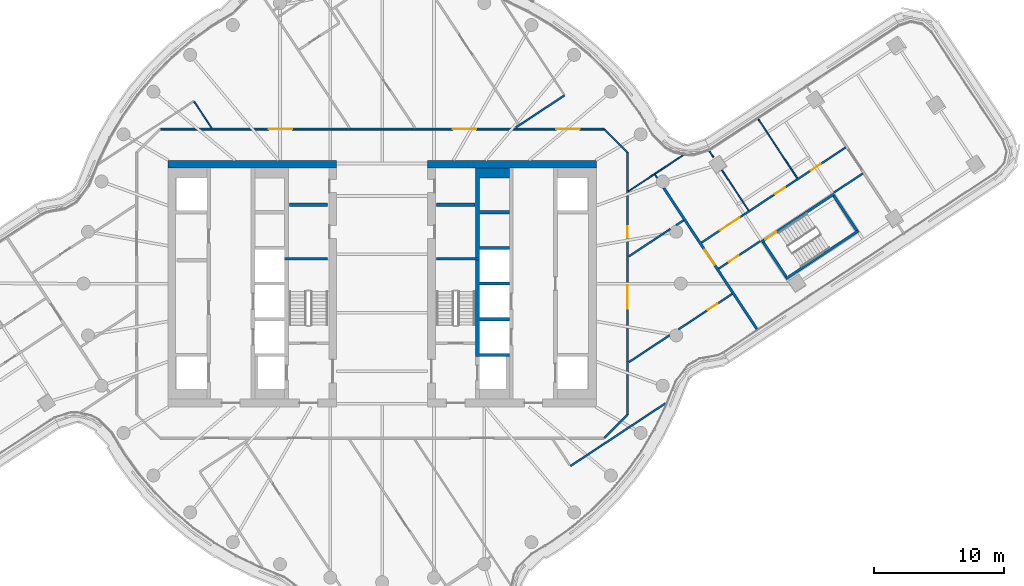
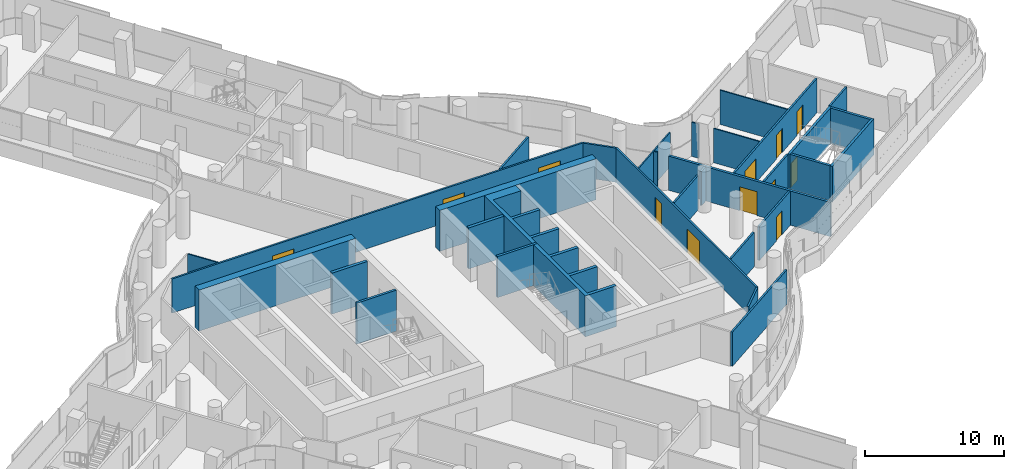
# One storey, part 25 of 35: 31 walls, 12 doors, 12 openings.
"""IFC4 building model written with IfcOpenShell, lengths in metres."""

from ifc_helpers import new_model, si_unit, direction, frame, frame_2d, origin, place, context, subcontext, project, spatial, polyline, rectangle, outline, extrude, material, layer, layer_set, type_object, element, fill, save


model = new_model("IFC4")

# Units and contexts
model_context = context("Model", 3, precision=1e-05, world=origin(), true_north=direction((0.0, 1.0)))
body_context = subcontext(model_context, "Body", "Model", "MODEL_VIEW")
ifc_project = project(units=[si_unit("LENGTHUNIT", "METRE"), si_unit("AREAUNIT", "SQUARE_METRE"), si_unit("VOLUMEUNIT", "CUBIC_METRE"), si_unit("PLANEANGLEUNIT", "RADIAN"), si_unit("MASSUNIT", "GRAM", prefix="KILO")], contexts=[model_context])

# Site, building, storey
site_placement = place(None, origin())
site = spatial("IfcSite", under=ifc_project, at=site_placement, CompositionType="ELEMENT")
building_placement = place(site_placement, origin())
building = spatial("IfcBuilding", under=site, at=building_placement, Name="Tamarind Cross Interchange Tower", CompositionType="ELEMENT")
storey_placement = place(building_placement, frame((0.0, 0.0, 155.5)))
storey = spatial("IfcBuildingStorey", under=building, at=storey_placement, Name="L38", CompositionType="ELEMENT", Elevation=155.5)

# Walls
ifc_material_1 = material(Name="Concrete C60", Category="concrete")
ifc_layer_1 = layer(ifc_material_1, 0.60009765625)
ifc_layer_set_1 = layer_set([ifc_layer_1], Name="Concrete C60")
wall_type_1 = type_object("IfcWallType", Name="Core wall 600 mm Concrete C60", PredefinedType="SHEAR", material=ifc_layer_set_1)
for number, where, z_axis, x_axis, name in (
    (1, (-16.5, 9.199951171875, 0.0), (0.0, 0.0, 1.0), (1.0, 0.0, 0.0), "Core wall CWL-L38-W-NE"),
    (2, (16.5, 9.199951171875, 0.0), (0.0, 0.0, 1.0), (-1.0, 0.0, 0.0), "Core wall CWL-L38-E-NE"),
):
    element("IfcWall", number, at=place(storey_placement, frame(where, z_axis=z_axis, x_axis=x_axis)), inside=storey, type_object=wall_type_1, Name=name, PredefinedType="SHEAR", context=body_context, shape_type="SweptSolid", body=[
        extrude(rectangle(XDim=13.0, YDim=0.60009765625, at=frame_2d((6.5, 0.0))), origin(), (0.0, 0.0, 1.0), 3.610107421875),
    ])
ifc_layer_2 = layer(ifc_material_1, 0.199951171875)
ifc_layer_set_2 = layer_set([ifc_layer_2], Name="Concrete C60")
wall_type_2 = type_object("IfcWallType", Name="Core web wall 200 mm Concrete C60", PredefinedType="SHEAR", material=ifc_layer_set_2)
for number, where, z_axis, x_axis, name in (
    (3, (-7.5, 1.89990234375, 0.0), (0.0, 0.0, 1.0), (1.0, 0.0, 0.0), "Core wall CWL-L38-W-BD"),
    (4, (7.5, 1.89990234375, 0.0), (0.0, 0.0, 1.0), (-1.0, 0.0, 0.0), "Core wall CWL-L38-E-BD"),
):
    element("IfcWall", number, at=place(storey_placement, frame(where, z_axis=z_axis, x_axis=x_axis)), inside=storey, type_object=wall_type_2, Name=name, PredefinedType="SHEAR", context=body_context, shape_type="SweptSolid", body=[
        extrude(rectangle(XDim=3.300048828125, YDim=0.199951171875, at=frame_2d((1.64990234375, 0.0))), origin(), (0.0, 0.0, 1.0), 3.610107421875),
    ])
ifc_layer_3 = layer(ifc_material_1, 0.300048828125)
ifc_layer_set_3 = layer_set([ifc_layer_3], Name="Concrete C60")
wall_type_3 = type_object("IfcWallType", Name="Core web wall 300 mm Concrete C60", PredefinedType="SHEAR", material=ifc_layer_set_3)
wall_1_placement = place(storey_placement, origin())
element("IfcWall", 5, at=wall_1_placement, inside=storey, type_object=wall_type_3, Name="Core wall CWL-L38-E-BN", PredefinedType="SHEAR", context=body_context, shape_type="SweptSolid", body=[
    extrude(outline(polyline([(9.800048828125, -5.375), (7.5, -5.375), (7.5, -2.875), (9.800048828125, -2.875), (9.800048828125, -2.625), (7.5, -2.625), (7.5, -0.125), (9.800048828125, -0.125), (9.800048828125, 0.125), (7.5, 0.125), (7.5, 2.625), (9.800048828125, 2.625), (9.800048828125, 2.875), (7.5, 2.875), (7.5, 5.375), (9.800048828125, 5.375), (9.800048828125, 5.625), (7.5, 5.625), (7.5, 8.125), (9.800048828125, 8.125), (9.800048828125, 8.89990234375), (7.5, 8.89990234375), (7.199951171875, 8.89990234375), (7.199951171875, -5.625), (7.5, -5.625), (9.800048828125, -5.625), (9.800048828125, -5.375)])), origin(), (0.0, 0.0, 1.0), 3.610107421875),
])
ifc_material_2 = material(Name="Gypsum board partition on steel studs", Category="steel")
ifc_layer_4 = layer(ifc_material_2, 0.10009765625)
ifc_layer_set_4 = layer_set([ifc_layer_4], Name="Gypsum board partition on steel studs")
wall_type_4 = type_object("IfcWallType", Name="Partition 100 mm EI 90", PredefinedType="PARTITIONING", material=ifc_layer_set_4)
wall_2_placement = place(storey_placement, frame((-14.4765625, 14.014404296875, 0.0), z_axis=(0.0, 0.0, 1.0), x_axis=(0.550874353815, -0.834588189653, 0.0)))
element("IfcWall", 6, at=wall_2_placement, inside=storey, type_object=wall_type_4, Name="Partition L38-008", PredefinedType="PARTITIONING", context=body_context, shape_type="SweptSolid", body=[
    extrude(rectangle(XDim=2.43359375, YDim=0.10009765625, at=frame_2d((1.216796875, 0.0))), origin(), (0.0, 0.0, 1.0), 3.010009765625),
])
wall_3_placement = place(storey_placement, frame((21.011474609375, 8.394287109375, 0.0), z_axis=(0.0, 0.0, 1.0), x_axis=(0.551266985396, -0.834328898464, 0.0)))
element("IfcWall", 7, at=wall_3_placement, inside=storey, type_object=wall_type_4, Name="Partition L38-029", PredefinedType="PARTITIONING", context=body_context, shape_type="SweptSolid", body=[
    extrude(rectangle(XDim=0.312255859375, YDim=0.10009765625, at=frame_2d((0.15625, 0.0))), origin(), (0.0, 0.0, 1.0), 3.010009765625),
])
wall_4_placement = place(storey_placement, frame((25.20361328125, 10.2119140625, 0.0), z_axis=(0.0, 0.0, 1.0), x_axis=(0.551183703578, -0.834383919374, 0.0)))
element("IfcWall", 8, at=wall_4_placement, inside=storey, type_object=wall_type_4, Name="Partition L38-031", PredefinedType="PARTITIONING", context=body_context, shape_type="SweptSolid", body=[
    extrude(rectangle(XDim=0.57763671875, YDim=0.10009765625, at=frame_2d((0.288818359375, 0.0))), origin(), (0.0, 0.0, 1.0), 3.010009765625),
])
wall_5_placement = place(storey_placement, frame((26.180419921875, 8.732421875, 0.0), z_axis=(0.0, 0.0, 1.0), x_axis=(0.550851378046, -0.834603354477, 0.0)))
element("IfcWall", 9, at=wall_5_placement, inside=storey, type_object=wall_type_4, Name="Partition L38-032", PredefinedType="PARTITIONING", context=body_context, shape_type="SweptSolid", body=[
    extrude(rectangle(XDim=3.709228515625, YDim=0.10009765625, at=frame_2d((1.8544921875, 0.0))), origin(), (0.0, 0.0, 1.0), 3.010009765625),
])
wall_6_placement = place(storey_placement, frame((28.976318359375, 12.66552734375, 0.0), z_axis=(0.0, 0.0, 1.0), x_axis=(0.550994449366, -0.834508907543, 0.0)))
element("IfcWall", 10, at=wall_6_placement, inside=storey, type_object=wall_type_4, Name="Partition L38-033", PredefinedType="PARTITIONING", context=body_context, shape_type="SweptSolid", body=[
    extrude(rectangle(XDim=5.450927734375, YDim=0.10009765625, at=frame_2d((2.7255859375, 0.0))), origin(), (0.0, 0.0, 1.0), 3.010009765625),
])
wall_7_placement = place(storey_placement, frame((18.9833984375, 7.114990234375, 0.0), z_axis=(0.0, 0.0, 1.0), x_axis=(0.834486104681, 0.551028983898, 0.0)))
element("IfcWall", 11, at=wall_7_placement, inside=storey, type_object=wall_type_4, Name="Partition L38-072", PredefinedType="PARTITIONING", context=body_context, shape_type="SweptSolid", body=[
    extrude(rectangle(XDim=5.025634765625, YDim=0.10009765625, at=frame_2d((2.5126953125, 0.0))), origin(), (0.0, 0.0, 1.0), 3.010009765625),
])
ifc_layer_5 = layer(ifc_material_2, 0.14990234375)
ifc_layer_set_5 = layer_set([ifc_layer_5], Name="Gypsum board partition on steel studs")
wall_type_5 = type_object("IfcWallType", Name="Partition 150 mm EI 120", PredefinedType="PARTITIONING", material=ifc_layer_set_5)
wall_8_placement = place(storey_placement, frame((17.12841796875, 11.87158203125, 0.0), z_axis=(0.0, 0.0, 1.0), x_axis=(0.707106781187, -0.707106781187, 0.0)))
element("IfcWall", 12, at=wall_8_placement, inside=storey, type_object=wall_type_5, Name="Partition L38-038", PredefinedType="PARTITIONING", context=body_context, shape_type="SweptSolid", body=[
    extrude(rectangle(XDim=2.465087890625, YDim=0.14990234375, at=frame_2d((1.232421875, 0.0))), origin(), (0.0, 0.0, 1.0), 3.010009765625),
])

# Wall, openings, doors
wall_9_placement = place(storey_placement, frame((-17.06494140625, 11.89990234375, 0.0), z_axis=(0.0, 0.0, 1.0), x_axis=(1.0, 0.0, 0.0)))
wall_9 = element("IfcWall", 13, at=wall_9_placement, inside=storey, type_object=wall_type_5, Name="Partition L38-040", PredefinedType="PARTITIONING", context=body_context, shape_type="SweptSolid", body=[
    extrude(rectangle(XDim=34.1650390625, YDim=0.14990234375, at=frame_2d((17.08251953125, 0.0))), origin(), (0.0, 0.0, 1.0), 3.010009765625),
])
opening_1_placement = place(wall_9_placement, frame((22.509033203125, 0.0, 0.0)))
opening_1 = element("IfcOpeningElement", 14, at=opening_1_placement, cuts=wall_9, Name="Opening D21", PredefinedType="OPENING", context=body_context, shape_type="SweptSolid", body=[
    extrude(rectangle(XDim=1.800048828125, YDim=2.10009765625, at=frame_2d((0.89990234375, 1.050048828125))), frame((0.0, 0.0849609375, 0.0), z_axis=(0.0, -1.0, 0.0), x_axis=(1.0, 0.0, 0.0)), (0.0, 0.0, 1.0), 0.169921875),
])
opening_2_placement = place(wall_9_placement, frame((30.47705078125, 0.0, 0.0)))
opening_2 = element("IfcOpeningElement", 15, at=opening_2_placement, cuts=wall_9, Name="Opening D22", PredefinedType="OPENING", context=body_context, shape_type="SweptSolid", body=[
    extrude(rectangle(XDim=1.800048828125, YDim=2.10009765625, at=frame_2d((0.89990234375, 1.050048828125))), frame((0.0, 0.0849609375, 0.0), z_axis=(0.0, -1.0, 0.0), x_axis=(1.0, 0.0, 0.0)), (0.0, 0.0, 1.0), 0.169921875),
])
opening_3_placement = place(wall_9_placement, frame((8.333984375, 0.0, 0.0)))
opening_3 = element("IfcOpeningElement", 16, at=opening_3_placement, cuts=wall_9, Name="Opening D23", PredefinedType="OPENING", context=body_context, shape_type="SweptSolid", body=[
    extrude(rectangle(XDim=1.800048828125, YDim=2.10009765625, at=frame_2d((0.89990234375, 1.050048828125))), frame((0.0, 0.0849609375, 0.0), z_axis=(0.0, -1.0, 0.0), x_axis=(1.0, 0.0, 0.0)), (0.0, 0.0, 1.0), 0.169921875),
])
ifc_material_3 = material(Name="Fire-resisting door set")
door_type_1 = type_object("IfcDoorType", Name="Interior door 1800 x 2100 FD60S", OperationType="DOUBLE_DOOR_SINGLE_SWING", PredefinedType="DOOR", material=ifc_material_3)
door_1_placement = place(opening_1_placement, frame((1.800048828125, 0.0, 0.0), z_axis=(0.0, 0.0, 1.0), x_axis=(-1.0, 0.0, 0.0)))
door_1 = element("IfcDoor", 17, at=door_1_placement, inside=storey, type_object=door_type_1, Name="Door D21", OperationType="DOUBLE_DOOR_SINGLE_SWING", OverallHeight=2.10009765625, OverallWidth=1.800048828125, PredefinedType="DOOR", context=body_context, shape_type="SweptSolid", body=[
    extrude(rectangle(XDim=1.800048828125, YDim=2.10009765625, at=frame_2d((0.89990234375, 1.050048828125))), frame((0.0, 0.02490234375, 0.0), z_axis=(0.0, -1.0, 0.0), x_axis=(1.0, 0.0, 0.0)), (0.0, 0.0, 1.0), 0.050048828125),
])
fill(opening_1, door_1)
door_2_placement = place(opening_2_placement, origin())
door_2 = element("IfcDoor", 18, at=door_2_placement, inside=storey, type_object=door_type_1, Name="Door D22", OperationType="DOUBLE_DOOR_SINGLE_SWING", OverallHeight=2.10009765625, OverallWidth=1.800048828125, PredefinedType="DOOR", context=body_context, shape_type="SweptSolid", body=[
    extrude(rectangle(XDim=1.800048828125, YDim=2.10009765625, at=frame_2d((0.89990234375, 1.050048828125))), frame((0.0, 0.02490234375, 0.0), z_axis=(0.0, -1.0, 0.0), x_axis=(1.0, 0.0, 0.0)), (0.0, 0.0, 1.0), 0.050048828125),
])
fill(opening_2, door_2)
door_3_placement = place(opening_3_placement, frame((1.800048828125, 0.0, 0.0), z_axis=(0.0, 0.0, 1.0), x_axis=(-1.0, 0.0, 0.0)))
door_3 = element("IfcDoor", 19, at=door_3_placement, inside=storey, type_object=door_type_1, Name="Door D23", OperationType="DOUBLE_DOOR_SINGLE_SWING", OverallHeight=2.10009765625, OverallWidth=1.800048828125, PredefinedType="DOOR", context=body_context, shape_type="SweptSolid", body=[
    extrude(rectangle(XDim=1.800048828125, YDim=2.10009765625, at=frame_2d((0.89990234375, 1.050048828125))), frame((0.0, 0.02490234375, 0.0), z_axis=(0.0, -1.0, 0.0), x_axis=(1.0, 0.0, 0.0)), (0.0, 0.0, 1.0), 0.050048828125),
])
fill(opening_3, door_3)

# Walls
wall_10_placement = place(storey_placement, frame((10.29150390625, 12.0185546875, 0.0), z_axis=(0.0, 0.0, 1.0), x_axis=(0.834523303169, 0.550972645844, 0.0)))
element("IfcWall", 20, at=wall_10_placement, inside=storey, type_object=wall_type_5, Name="Partition L38-066", PredefinedType="PARTITIONING", context=body_context, shape_type="SweptSolid", body=[
    extrude(rectangle(XDim=4.5107421875, YDim=0.14990234375, at=frame_2d((2.25537109375, 0.0))), origin(), (0.0, 0.0, 1.0), 3.010009765625),
])
wall_11_placement = place(storey_placement, frame((14.50390625, -14.055908203125, 0.0), z_axis=(0.0, 0.0, 1.0), x_axis=(0.83453104674, 0.550960916969, 0.0)))
element("IfcWall", 21, at=wall_11_placement, inside=storey, type_object=wall_type_5, Name="Partition L38-067", PredefinedType="PARTITIONING", context=body_context, shape_type="SweptSolid", body=[
    extrude(rectangle(XDim=8.76708984375, YDim=0.14990234375, at=frame_2d((4.383544921875, 0.0))), origin(), (0.0, 0.0, 1.0), 3.010009765625),
])
wall_12_placement = place(storey_placement, frame((19.0, -6.054931640625, 0.0), z_axis=(0.0, 0.0, 1.0), x_axis=(0.834514075332, 0.550986622409, 0.0)))
element("IfcWall", 22, at=wall_12_placement, inside=storey, type_object=wall_type_5, Name="Partition L38-068", PredefinedType="PARTITIONING", context=body_context, shape_type="SweptSolid", body=[
    extrude(rectangle(XDim=3.76806640625, YDim=0.14990234375, at=frame_2d((1.884033203125, 0.0))), origin(), (0.0, 0.0, 1.0), 3.010009765625),
])

# Wall, opening, door
wall_13_placement = place(storey_placement, frame((22.82373046875, -3.5302734375, 0.0), z_axis=(0.0, 0.0, 1.0), x_axis=(0.834519729805, 0.550978058152, 0.0)))
wall_13 = element("IfcWall", 23, at=wall_13_placement, inside=storey, type_object=wall_type_5, Name="Partition L38-069", PredefinedType="PARTITIONING", context=body_context, shape_type="SweptSolid", body=[
    extrude(rectangle(XDim=4.95703125, YDim=0.14990234375, at=frame_2d((2.478515625, 0.0))), origin(), (0.0, 0.0, 1.0), 3.010009765625),
])
opening_4_placement = place(wall_13_placement, frame((2.699951171875, 0.0, 0.0)))
opening_4 = element("IfcOpeningElement", 24, at=opening_4_placement, cuts=wall_13, Name="Opening D34", PredefinedType="OPENING", context=body_context, shape_type="SweptSolid", body=[
    extrude(rectangle(XDim=0.89990234375, YDim=2.10009765625, at=frame_2d((0.449951171875, 1.050048828125))), frame((0.0, 0.0849609375, 0.0), z_axis=(0.0, -1.0, 0.0), x_axis=(1.0, 0.0, 0.0)), (0.0, 0.0, 1.0), 0.169921875),
])
door_type_2 = type_object("IfcDoorType", Name="Interior door 900 x 2100 FD60S", OperationType="SINGLE_SWING_LEFT", PredefinedType="DOOR", material=ifc_material_3)
door_4_placement = place(opening_4_placement, frame((0.89990234375, 0.0, 0.0), z_axis=(0.0, 0.0, 1.0), x_axis=(-1.0, 0.0, 0.0)))
door_4 = element("IfcDoor", 25, at=door_4_placement, inside=storey, type_object=door_type_2, Name="Door D34", OperationType="SINGLE_SWING_RIGHT", OverallHeight=2.10009765625, OverallWidth=0.89990234375, PredefinedType="DOOR", context=body_context, shape_type="SweptSolid", body=[
    extrude(rectangle(XDim=0.89990234375, YDim=2.10009765625, at=frame_2d((0.449951171875, 1.050048828125))), frame((0.0, 0.02490234375, 0.0), z_axis=(0.0, -1.0, 0.0), x_axis=(1.0, 0.0, 0.0)), (0.0, 0.0, 1.0), 0.050048828125),
])
fill(opening_4, door_4)

# Walls
wall_14_placement = place(storey_placement, frame((19.0, 2.093017578125, 0.0), z_axis=(0.0, 0.0, 1.0), x_axis=(0.834493361806, 0.551017993446, 0.0)))
element("IfcWall", 26, at=wall_14_placement, inside=storey, type_object=wall_type_5, Name="Partition L38-070", PredefinedType="PARTITIONING", context=body_context, shape_type="SweptSolid", body=[
    extrude(rectangle(XDim=3.830810546875, YDim=0.14990234375, at=frame_2d((1.91552734375, 0.0))), origin(), (0.0, 0.0, 1.0), 3.010009765625),
])
wall_15_placement = place(storey_placement, frame((22.65087890625, 4.50390625, 0.0), z_axis=(0.0, 0.0, 1.0), x_axis=(0.834599435949, 0.550857315022, 0.0)))
element("IfcWall", 27, at=wall_15_placement, inside=storey, type_object=wall_type_5, Name="Partition L38-071", PredefinedType="PARTITIONING", context=body_context, shape_type="SweptSolid", body=[
    extrude(rectangle(XDim=0.675537109375, YDim=0.14990234375, at=frame_2d((0.337890625, 0.0))), origin(), (0.0, 0.0, 1.0), 3.010009765625),
])

# Wall, openings, doors
wall_16_placement = place(storey_placement, frame((24.593505859375, 3.150146484375, 0.0), z_axis=(0.0, 0.0, 1.0), x_axis=(0.83452344528, 0.550972430598, 0.0)))
wall_16 = element("IfcWall", 28, at=wall_16_placement, inside=storey, type_object=wall_type_5, Name="Partition L38-073", PredefinedType="PARTITIONING", context=body_context, shape_type="SweptSolid", body=[
    extrude(rectangle(XDim=13.31982421875, YDim=0.14990234375, at=frame_2d((6.659912109375, 0.0))), origin(), (0.0, 0.0, 1.0), 3.010009765625),
])
opening_5_placement = place(wall_16_placement, frame((6.799560546875, 0.0, 0.0)))
opening_5 = element("IfcOpeningElement", 29, at=opening_5_placement, cuts=wall_16, Name="Opening D35", PredefinedType="OPENING", context=body_context, shape_type="SweptSolid", body=[
    extrude(rectangle(XDim=0.89990234375, YDim=2.10009765625, at=frame_2d((0.449951171875, 1.050048828125))), frame((0.0, 0.0849609375, 0.0), z_axis=(0.0, -1.0, 0.0), x_axis=(1.0, 0.0, 0.0)), (0.0, 0.0, 1.0), 0.169921875),
])
opening_6_placement = place(wall_16_placement, frame((10.100341796875, 0.0, 0.0)))
opening_6 = element("IfcOpeningElement", 30, at=opening_6_placement, cuts=wall_16, Name="Opening D36", PredefinedType="OPENING", context=body_context, shape_type="SweptSolid", body=[
    extrude(rectangle(XDim=0.89990234375, YDim=2.10009765625, at=frame_2d((0.449951171875, 1.050048828125))), frame((0.0, 0.0849609375, 0.0), z_axis=(0.0, -1.0, 0.0), x_axis=(1.0, 0.0, 0.0)), (0.0, 0.0, 1.0), 0.169921875),
])
opening_7_placement = place(wall_16_placement, frame((1.699951171875, 0.0, 0.0)))
opening_7 = element("IfcOpeningElement", 31, at=opening_7_placement, cuts=wall_16, Name="Opening D37", PredefinedType="OPENING", context=body_context, shape_type="SweptSolid", body=[
    extrude(rectangle(XDim=1.800048828125, YDim=2.10009765625, at=frame_2d((0.89990234375, 1.050048828125))), frame((0.0, 0.0849609375, 0.0), z_axis=(0.0, -1.0, 0.0), x_axis=(1.0, 0.0, 0.0)), (0.0, 0.0, 1.0), 0.169921875),
])
door_5_placement = place(opening_7_placement, origin())
door_5 = element("IfcDoor", 32, at=door_5_placement, inside=storey, type_object=door_type_1, Name="Door D37", OperationType="DOUBLE_DOOR_SINGLE_SWING", OverallHeight=2.10009765625, OverallWidth=1.800048828125, PredefinedType="DOOR", context=body_context, shape_type="SweptSolid", body=[
    extrude(rectangle(XDim=1.800048828125, YDim=2.10009765625, at=frame_2d((0.89990234375, 1.050048828125))), frame((0.0, 0.02490234375, 0.0), z_axis=(0.0, -1.0, 0.0), x_axis=(1.0, 0.0, 0.0)), (0.0, 0.0, 1.0), 0.050048828125),
])
fill(opening_7, door_5)
door_6_placement = place(opening_5_placement, origin())
door_6 = element("IfcDoor", 33, at=door_6_placement, inside=storey, type_object=door_type_2, Name="Door D35", OperationType="SINGLE_SWING_LEFT", OverallHeight=2.10009765625, OverallWidth=0.89990234375, PredefinedType="DOOR", context=body_context, shape_type="SweptSolid", body=[
    extrude(rectangle(XDim=0.89990234375, YDim=2.10009765625, at=frame_2d((0.449951171875, 1.050048828125))), frame((0.0, 0.02490234375, 0.0), z_axis=(0.0, -1.0, 0.0), x_axis=(1.0, 0.0, 0.0)), (0.0, 0.0, 1.0), 0.050048828125),
])
fill(opening_5, door_6)
door_7_placement = place(opening_6_placement, origin())
door_7 = element("IfcDoor", 34, at=door_7_placement, inside=storey, type_object=door_type_2, Name="Door D36", OperationType="SINGLE_SWING_LEFT", OverallHeight=2.10009765625, OverallWidth=0.89990234375, PredefinedType="DOOR", context=body_context, shape_type="SweptSolid", body=[
    extrude(rectangle(XDim=0.89990234375, YDim=2.10009765625, at=frame_2d((0.449951171875, 1.050048828125))), frame((0.0, 0.02490234375, 0.0), z_axis=(0.0, -1.0, 0.0), x_axis=(1.0, 0.0, 0.0)), (0.0, 0.0, 1.0), 0.050048828125),
])
fill(opening_6, door_7)

# Wall, opening, door
wall_17_placement = place(storey_placement, frame((25.91552734375, 1.147216796875, 0.0), z_axis=(0.0, 0.0, 1.0), x_axis=(0.834600103277, 0.550856303958, 0.0)))
wall_17 = element("IfcWall", 35, at=wall_17_placement, inside=storey, type_object=wall_type_5, Name="Partition L38-074", PredefinedType="PARTITIONING", context=body_context, shape_type="SweptSolid", body=[
    extrude(rectangle(XDim=3.86083984375, YDim=0.14990234375, at=frame_2d((1.930419921875, 0.0))), origin(), (0.0, 0.0, 1.0), 3.010009765625),
])
opening_8_placement = place(wall_17_placement, frame((0.949951171875, 0.0, 0.0)))
opening_8 = element("IfcOpeningElement", 36, at=opening_8_placement, cuts=wall_17, Name="Opening D38", PredefinedType="OPENING", context=body_context, shape_type="SweptSolid", body=[
    extrude(rectangle(XDim=0.89990234375, YDim=2.10009765625, at=frame_2d((0.449951171875, 1.050048828125))), frame((0.0, 0.0849609375, 0.0), z_axis=(0.0, -1.0, 0.0), x_axis=(1.0, 0.0, 0.0)), (0.0, 0.0, 1.0), 0.169921875),
])
door_8_placement = place(opening_8_placement, frame((0.89990234375, 0.0, 0.0), z_axis=(0.0, 0.0, 1.0), x_axis=(-1.0, 0.0, 0.0)))
door_8 = element("IfcDoor", 37, at=door_8_placement, inside=storey, type_object=door_type_2, Name="Door D38", OperationType="SINGLE_SWING_LEFT", OverallHeight=2.10009765625, OverallWidth=0.89990234375, PredefinedType="DOOR", context=body_context, shape_type="SweptSolid", body=[
    extrude(rectangle(XDim=0.89990234375, YDim=2.10009765625, at=frame_2d((0.449951171875, 1.050048828125))), frame((0.0, 0.02490234375, 0.0), z_axis=(0.0, -1.0, 0.0), x_axis=(1.0, 0.0, 0.0)), (0.0, 0.0, 1.0), 0.050048828125),
])
fill(opening_8, door_8)

# Walls
wall_18_placement = place(storey_placement, frame((34.79638671875, 7.009033203125, 0.0), z_axis=(0.0, 0.0, 1.0), x_axis=(0.834551580439, 0.550929813667, 0.0)))
element("IfcWall", 38, at=wall_18_placement, inside=storey, type_object=wall_type_5, Name="Partition L38-075", PredefinedType="PARTITIONING", context=body_context, shape_type="SweptSolid", body=[
    extrude(rectangle(XDim=2.6787109375, YDim=0.14990234375, at=frame_2d((1.33935546875, 0.0))), origin(), (0.0, 0.0, 1.0), 3.010009765625),
])
wall_19_placement = place(storey_placement, frame((17.10009765625, -11.89990234375, 0.0), z_axis=(0.0, 0.0, 1.0), x_axis=(0.707106781187, 0.707106781187, 0.0)))
element("IfcWall", 39, at=wall_19_placement, inside=storey, type_object=wall_type_5, Name="Partition L38-077", PredefinedType="PARTITIONING", context=body_context, shape_type="SweptSolid", body=[
    extrude(rectangle(XDim=2.50537109375, YDim=0.14990234375, at=frame_2d((1.252685546875, 0.0))), origin(), (0.0, 0.0, 1.0), 3.010009765625),
])

# Wall, openings, doors
wall_20_placement = place(storey_placement, frame((18.89990234375, -10.10009765625, 0.0), z_axis=(0.0, 0.0, 1.0), x_axis=(0.0, 1.0, 0.0)))
wall_20 = element("IfcWall", 40, at=wall_20_placement, inside=storey, type_object=wall_type_5, Name="Partition L38-079", PredefinedType="PARTITIONING", context=body_context, shape_type="SweptSolid", body=[
    extrude(rectangle(XDim=20.2001953125, YDim=0.14990234375, at=frame_2d((10.10009765625, 0.0))), origin(), (0.0, 0.0, 1.0), 3.010009765625),
])
opening_9_placement = place(wall_20_placement, frame((8.178955078125, 0.0, 0.0)))
opening_9 = element("IfcOpeningElement", 41, at=opening_9_placement, cuts=wall_20, Name="Opening D41", PredefinedType="OPENING", context=body_context, shape_type="SweptSolid", body=[
    extrude(rectangle(XDim=1.800048828125, YDim=2.10009765625, at=frame_2d((0.89990234375, 1.050048828125))), frame((0.0, 0.0849609375, 0.0), z_axis=(0.0, -1.0, 0.0), x_axis=(1.0, 0.0, 0.0)), (0.0, 0.0, 1.0), 0.169921875),
])
opening_10_placement = place(wall_20_placement, frame((13.626953125, 0.0, 0.0)))
opening_10 = element("IfcOpeningElement", 42, at=opening_10_placement, cuts=wall_20, Name="Opening D42", PredefinedType="OPENING", context=body_context, shape_type="SweptSolid", body=[
    extrude(rectangle(XDim=0.89990234375, YDim=2.10009765625, at=frame_2d((0.449951171875, 1.050048828125))), frame((0.0, 0.0849609375, 0.0), z_axis=(0.0, -1.0, 0.0), x_axis=(1.0, 0.0, 0.0)), (0.0, 0.0, 1.0), 0.169921875),
])
door_9_placement = place(opening_9_placement, origin())
door_9 = element("IfcDoor", 43, at=door_9_placement, inside=storey, type_object=door_type_1, Name="Door D41", OperationType="DOUBLE_DOOR_SINGLE_SWING", OverallHeight=2.10009765625, OverallWidth=1.800048828125, PredefinedType="DOOR", context=body_context, shape_type="SweptSolid", body=[
    extrude(rectangle(XDim=1.800048828125, YDim=2.10009765625, at=frame_2d((0.89990234375, 1.050048828125))), frame((0.0, 0.02490234375, 0.0), z_axis=(0.0, -1.0, 0.0), x_axis=(1.0, 0.0, 0.0)), (0.0, 0.0, 1.0), 0.050048828125),
])
fill(opening_9, door_9)
door_10_placement = place(opening_10_placement, frame((0.89990234375, 0.0, 0.0), z_axis=(0.0, 0.0, 1.0), x_axis=(-1.0, 0.0, 0.0)))
door_10 = element("IfcDoor", 44, at=door_10_placement, inside=storey, type_object=door_type_2, Name="Door D42", OperationType="SINGLE_SWING_RIGHT", OverallHeight=2.10009765625, OverallWidth=0.89990234375, PredefinedType="DOOR", context=body_context, shape_type="SweptSolid", body=[
    extrude(rectangle(XDim=0.89990234375, YDim=2.10009765625, at=frame_2d((0.449951171875, 1.050048828125))), frame((0.0, 0.02490234375, 0.0), z_axis=(0.0, -1.0, 0.0), x_axis=(1.0, 0.0, 0.0)), (0.0, 0.0, 1.0), 0.050048828125),
])
fill(opening_10, door_10)

# Wall, opening, door
ifc_layer_6 = layer(ifc_material_2, 0.199951171875)
ifc_layer_set_6 = layer_set([ifc_layer_6], Name="Gypsum board partition on steel studs")
wall_type_6 = type_object("IfcWallType", Name="Partition 200 mm EI 180", PredefinedType="PARTITIONING", material=ifc_layer_set_6)
wall_21_placement = place(storey_placement, frame((21.68408203125, 7.37548828125, 0.0), z_axis=(0.0, 0.0, 1.0), x_axis=(0.550962555751, -0.834529964806, 0.0)))
wall_21 = element("IfcWall", 45, at=wall_21_placement, inside=storey, type_object=wall_type_6, Name="Partition L38-030", PredefinedType="PARTITIONING", context=body_context, shape_type="SweptSolid", body=[
    extrude(rectangle(XDim=13.028076171875, YDim=0.199951171875, at=frame_2d((6.51416015625, 0.0))), origin(), (0.0, 0.0, 1.0), 3.010009765625),
])
opening_11_placement = place(wall_21_placement, frame((5.729248046875, 0.0, 0.0)))
opening_11 = element("IfcOpeningElement", 46, at=opening_11_placement, cuts=wall_21, Name="Opening D16", PredefinedType="OPENING", context=body_context, shape_type="SweptSolid", body=[
    extrude(rectangle(XDim=1.39990234375, YDim=2.10009765625, at=frame_2d((0.699951171875, 1.050048828125))), frame((0.0, 0.10986328125, 0.0), z_axis=(0.0, -1.0, 0.0), x_axis=(1.0, 0.0, 0.0)), (0.0, 0.0, 1.0), 0.219970703125),
])
door_type_3 = type_object("IfcDoorType", Name="Interior door 1400 x 2100 FD120S", OperationType="DOUBLE_DOOR_SINGLE_SWING", PredefinedType="DOOR", material=ifc_material_3)
door_11_placement = place(opening_11_placement, frame((1.39990234375, 0.0, 0.0), z_axis=(0.0, 0.0, 1.0), x_axis=(-1.0, 0.0, 0.0)))
door_11 = element("IfcDoor", 47, at=door_11_placement, inside=storey, type_object=door_type_3, Name="Door D16", OperationType="DOUBLE_DOOR_SINGLE_SWING", OverallHeight=2.10009765625, OverallWidth=1.39990234375, PredefinedType="DOOR", context=body_context, shape_type="SweptSolid", body=[
    extrude(rectangle(XDim=1.39990234375, YDim=2.10009765625, at=frame_2d((0.699951171875, 1.050048828125))), frame((0.0, 0.02490234375, 0.0), z_axis=(0.0, -1.0, 0.0), x_axis=(1.0, 0.0, 0.0)), (0.0, 0.0, 1.0), 0.050048828125),
])
fill(opening_11, door_11)

# Walls
ifc_material_4 = material(Name="Concrete C40", Category="concrete")
ifc_layer_7 = layer(ifc_material_4, 0.25)
ifc_layer_set_7 = layer_set([ifc_layer_7], Name="Concrete C40")
wall_type_7 = type_object("IfcWallType", Name="Shaft and lobby wall 250 mm Concrete C40", PredefinedType="PARTITIONING", material=ifc_layer_set_7)
for number, where, z_axis, x_axis, name in (
    (48, (-7.14990234375, 6.080078125, 0.0), (0.0, 0.0, 1.0), (1.0, 0.0, 0.0), "Shaft wall CWL-L38-W-SVP"),
    (49, (7.14990234375, 6.080078125, 0.0), (0.0, 0.0, 1.0), (-1.0, 0.0, 0.0), "Shaft wall CWL-L38-E-SVP"),
):
    element("IfcWall", number, at=place(storey_placement, frame(where, z_axis=z_axis, x_axis=x_axis)), inside=storey, type_object=wall_type_7, Name=name, PredefinedType="PARTITIONING", context=body_context, shape_type="SweptSolid", body=[
        extrude(rectangle(XDim=2.949951171875, YDim=0.25, at=frame_2d((1.47509765625, 0.0))), origin(), (0.0, 0.0, 1.0), 3.610107421875),
    ])

# Wall, opening, door
ifc_layer_8 = layer(ifc_material_4, 0.199951171875)
ifc_layer_set_8 = layer_set([ifc_layer_8], Name="Concrete C40")
wall_type_8 = type_object("IfcWallType", Name="Stair shaft wall 200 mm Concrete C40", PredefinedType="SHEAR", material=ifc_layer_set_8)
wall_22_placement = place(storey_placement, frame((29.2255859375, 3.212646484375, -0.139892578125), z_axis=(0.0, 0.0, 1.0), x_axis=(0.834514241837, 0.550986370222, 0.0)))
wall_22 = element("IfcWall", 50, at=wall_22_placement, inside=storey, type_object=wall_type_8, Name="Core wall CWL-L38-ST3-H", PredefinedType="SHEAR", context=body_context, shape_type="SweptSolid", body=[
    extrude(rectangle(XDim=6.7001953125, YDim=0.199951171875, at=frame_2d((3.35009765625, 0.0))), origin(), (0.0, 0.0, 1.0), 3.14990234375),
])
opening_12_placement = place(wall_22_placement, frame((0.35009765625, 0.0, 0.0)))
opening_12 = element("IfcOpeningElement", 51, at=opening_12_placement, cuts=wall_22, Name="Opening ST3L38", PredefinedType="OPENING", context=body_context, shape_type="SweptSolid", body=[
    extrude(rectangle(XDim=1.0, YDim=2.10009765625, at=frame_2d((0.5, 1.050048828125))), frame((0.0, 0.10986328125, 0.0), z_axis=(0.0, -1.0, 0.0), x_axis=(1.0, 0.0, 0.0)), (0.0, 0.0, 1.0), 0.219970703125),
])
ifc_material_5 = material(Name="Steel, fire-resisting", Category="steel")
door_type_4 = type_object("IfcDoorType", Name="Core fire door 1000 x 2100 FD90", OperationType="SINGLE_SWING_LEFT", PredefinedType="DOOR", material=ifc_material_5)
door_12_placement = place(opening_12_placement, origin())
door_12 = element("IfcDoor", 52, at=door_12_placement, inside=storey, type_object=door_type_4, Name="L38 stair door ST3", OperationType="SINGLE_SWING_LEFT", OverallHeight=2.10009765625, OverallWidth=1.0, PredefinedType="DOOR", context=body_context, shape_type="SweptSolid", body=[
    extrude(rectangle(XDim=1.0, YDim=2.10009765625, at=frame_2d((0.5, 1.050048828125))), frame((0.0, 0.02490234375, 0.0), z_axis=(0.0, -1.0, 0.0), x_axis=(1.0, 0.0, 0.0)), (0.0, 0.0, 1.0), 0.050048828125),
])
fill(opening_12, door_12)

# Walls
wall_23_placement = place(storey_placement, frame((31.098876953125, 0.375244140625, -0.139892578125), z_axis=(0.0, 0.0, 1.0), x_axis=(0.834514241837, 0.550986370222, 0.0)))
element("IfcWall", 53, at=wall_23_placement, inside=storey, type_object=wall_type_8, Name="Core wall CWL-L38-ST3-C", PredefinedType="SHEAR", context=body_context, shape_type="SweptSolid", body=[
    extrude(rectangle(XDim=6.7001953125, YDim=0.199951171875, at=frame_2d((3.35009765625, 0.0))), origin(), (0.0, 0.0, 1.0), 3.14990234375),
])
wall_24_placement = place(storey_placement, frame((31.127197265625, 0.513916015625, -0.139892578125), z_axis=(0.0, 0.0, 1.0), x_axis=(-0.550997380847, 0.83450697199, 0.0)))
element("IfcWall", 54, at=wall_24_placement, inside=storey, type_object=wall_type_8, Name="Core wall CWL-L38-ST3-CE", PredefinedType="SHEAR", context=body_context, shape_type="SweptSolid", body=[
    extrude(rectangle(XDim=3.199951171875, YDim=0.199951171875, at=frame_2d((1.60009765625, 0.0))), origin(), (0.0, 0.0, 1.0), 3.14990234375),
])
wall_25_placement = place(storey_placement, frame((0.0, 0.0, -0.139892578125)))
element("IfcWall", 55, at=wall_25_placement, inside=storey, type_object=wall_type_8, Name="Core wall CWL-L38-ST3-CF", PredefinedType="SHEAR", context=body_context, shape_type="SweptSolid", body=[
    extrude(outline(polyline([(36.46826171875, 4.0400390625), (36.635009765625, 4.150390625), (34.8720703125, 6.82080078125), (34.705078125, 6.71044921875), (36.46826171875, 4.0400390625)])), origin(), (0.0, 0.0, 1.0), 3.14990234375),
])

save(model, "model.ifc")
